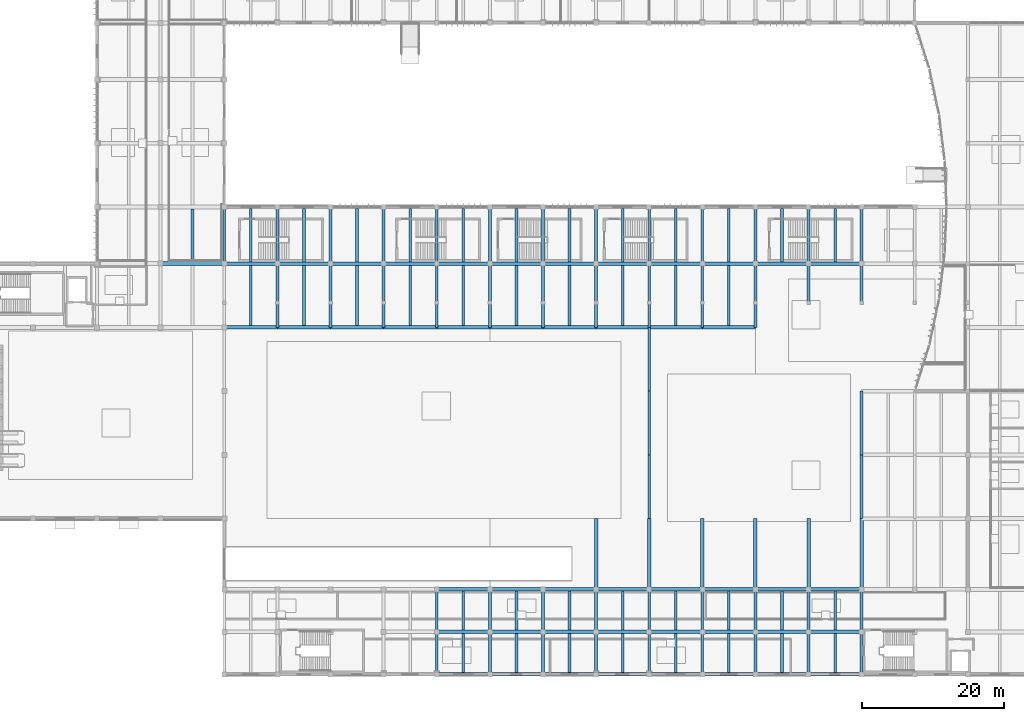
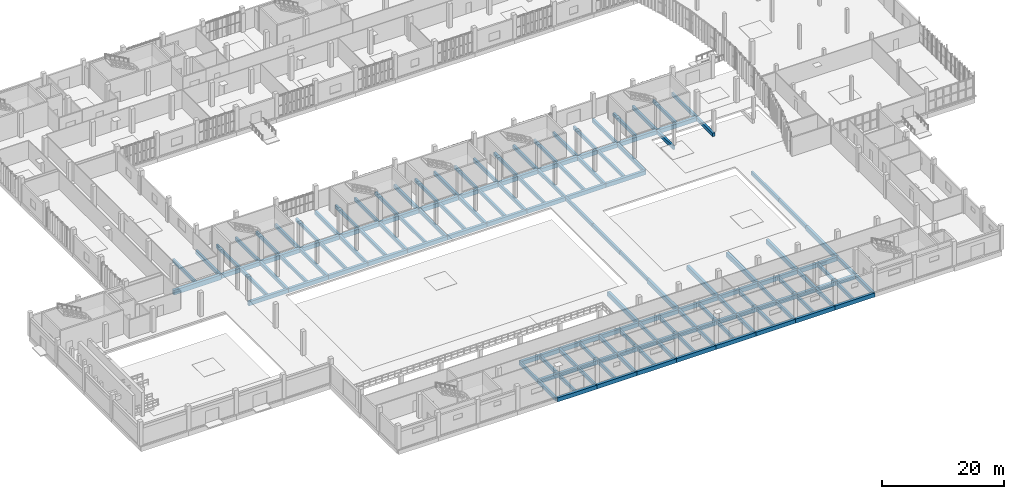
# One storey, part 8 of 72: 140 beams.
"""IFC4 building model written with IfcOpenShell, lengths in metres."""

from ifc_helpers import new_model, si_unit, direction, frame, origin, origin_2d, place, context, subcontext, project, spatial, rectangle, extrude, material, material_profile, profile_set, type_object, element, save


model = new_model("IFC4")

# Units and contexts
model_context = context("Model", 3, precision=1e-05, world=origin(), true_north=direction((0.0, 1.0)))
body_context = subcontext(model_context, "Body", "Model", "MODEL_VIEW")
ifc_project = project(units=[si_unit("LENGTHUNIT", "METRE"), si_unit("AREAUNIT", "SQUARE_METRE"), si_unit("VOLUMEUNIT", "CUBIC_METRE"), si_unit("PLANEANGLEUNIT", "RADIAN"), si_unit("MASSUNIT", "GRAM", prefix="KILO")], contexts=[model_context])

# Site, building, storey
site_placement = place(None, origin())
site = spatial("IfcSite", under=ifc_project, at=site_placement, CompositionType="ELEMENT")
building_placement = place(site_placement, origin())
building = spatial("IfcBuilding", under=site, at=building_placement, Name="Vourika Railside Aquatics Centre", CompositionType="ELEMENT")
storey_placement = place(building_placement, origin())
storey = spatial("IfcBuildingStorey", under=building, at=storey_placement, Name="L00", CompositionType="ELEMENT", Elevation=0.0)

# Beams
ifc_material_1 = material(Name="Concrete C35/45", Category="concrete")
ifc_material_profile_1 = material_profile(ifc_material_1, rectangle(XDim=0.39990234375, YDim=0.699951171875, at=origin_2d()), Name="RC 400x700")
ifc_profile_set_1 = profile_set([ifc_material_profile_1], Name="Concrete C35/45")
beam_type_1 = type_object("IfcBeamType", Name="BM-GIRD-400x700", PredefinedType="BEAM", material=ifc_profile_set_1)
beam_1_placement = place(storey_placement, frame((36.0, 58.0, -0.669921875), z_axis=(0.0, 1.0, 0.0), x_axis=(-1.0, 0.0, 0.0)))
element("IfcBeam", 1, at=beam_1_placement, inside=storey, type_object=beam_type_1, Name="Floor Girder GY-L00-214", PredefinedType="BEAM", context=body_context, shape_type="SweptSolid", body=[
    extrude(rectangle(XDim=0.39990234375, YDim=0.699951171875, at=origin_2d()), origin(), (0.0, 0.0, 1.0), 8.0),
])
beam_2_placement = place(storey_placement, frame((43.5, 49.0, -0.669921875), z_axis=(0.0, 1.0, 0.0), x_axis=(-1.0, 0.0, 0.0)))
element("IfcBeam", 2, at=beam_2_placement, inside=storey, type_object=beam_type_1, Name="Floor Girder GY-L00-223", PredefinedType="BEAM", context=body_context, shape_type="SweptSolid", body=[
    extrude(rectangle(XDim=0.39990234375, YDim=0.699951171875, at=origin_2d()), origin(), (0.0, 0.0, 1.0), 9.0),
])
beam_3_placement = place(storey_placement, frame((43.5, 58.0, -0.669921875), z_axis=(0.0, 1.0, 0.0), x_axis=(-1.0, 0.0, 0.0)))
element("IfcBeam", 3, at=beam_3_placement, inside=storey, type_object=beam_type_1, Name="Floor Girder GY-L00-224", PredefinedType="BEAM", context=body_context, shape_type="SweptSolid", body=[
    extrude(rectangle(XDim=0.39990234375, YDim=0.699951171875, at=origin_2d()), origin(), (0.0, 0.0, 1.0), 8.0),
])
beam_4_placement = place(storey_placement, frame((51.0, 49.0, -0.669921875), z_axis=(0.0, 1.0, 0.0), x_axis=(-1.0, 0.0, 0.0)))
element("IfcBeam", 4, at=beam_4_placement, inside=storey, type_object=beam_type_1, Name="Floor Girder GY-L00-228", PredefinedType="BEAM", context=body_context, shape_type="SweptSolid", body=[
    extrude(rectangle(XDim=0.39990234375, YDim=0.699951171875, at=origin_2d()), origin(), (0.0, 0.0, 1.0), 9.0),
])
beam_5_placement = place(storey_placement, frame((51.0, 58.0, -0.669921875), z_axis=(0.0, 1.0, 0.0), x_axis=(-1.0, 0.0, 0.0)))
element("IfcBeam", 5, at=beam_5_placement, inside=storey, type_object=beam_type_1, Name="Floor Girder GY-L00-229", PredefinedType="BEAM", context=body_context, shape_type="SweptSolid", body=[
    extrude(rectangle(XDim=0.39990234375, YDim=0.699951171875, at=origin_2d()), origin(), (0.0, 0.0, 1.0), 8.0),
])
beam_6_placement = place(storey_placement, frame((58.5, 49.0, -0.669921875), z_axis=(0.0, 1.0, 0.0), x_axis=(-1.0, 0.0, 0.0)))
element("IfcBeam", 6, at=beam_6_placement, inside=storey, type_object=beam_type_1, Name="Floor Girder GY-L00-234", PredefinedType="BEAM", context=body_context, shape_type="SweptSolid", body=[
    extrude(rectangle(XDim=0.39990234375, YDim=0.699951171875, at=origin_2d()), origin(), (0.0, 0.0, 1.0), 9.0),
])
beam_7_placement = place(storey_placement, frame((58.5, 58.0, -0.669921875), z_axis=(0.0, 1.0, 0.0), x_axis=(-1.0, 0.0, 0.0)))
element("IfcBeam", 7, at=beam_7_placement, inside=storey, type_object=beam_type_1, Name="Floor Girder GY-L00-235", PredefinedType="BEAM", context=body_context, shape_type="SweptSolid", body=[
    extrude(rectangle(XDim=0.39990234375, YDim=0.699951171875, at=origin_2d()), origin(), (0.0, 0.0, 1.0), 8.0),
])
for number, where, z_axis, x_axis, name in (
    (8, (66.0, 0.0, -0.669921875), (0.0, 1.0, 0.0), (-1.0, 0.0, 0.0), "Floor Girder GY-L00-238"),
    (9, (66.0, 6.0, -0.669921875), (0.0, 1.0, 0.0), (-1.0, 0.0, 0.0), "Floor Girder GY-L00-239"),
):
    element("IfcBeam", number, at=place(storey_placement, frame(where, z_axis=z_axis, x_axis=x_axis)), inside=storey, type_object=beam_type_1, Name=name, PredefinedType="BEAM", context=body_context, shape_type="SweptSolid", body=[
        extrude(rectangle(XDim=0.39990234375, YDim=0.699951171875, at=origin_2d()), origin(), (0.0, 0.0, 1.0), 6.0),
    ])
beam_8_placement = place(storey_placement, frame((66.0, 49.0, -0.669921875), z_axis=(0.0, 1.0, 0.0), x_axis=(-1.0, 0.0, 0.0)))
element("IfcBeam", 10, at=beam_8_placement, inside=storey, type_object=beam_type_1, Name="Floor Girder GY-L00-240", PredefinedType="BEAM", context=body_context, shape_type="SweptSolid", body=[
    extrude(rectangle(XDim=0.39990234375, YDim=0.699951171875, at=origin_2d()), origin(), (0.0, 0.0, 1.0), 9.0),
])
beam_9_placement = place(storey_placement, frame((66.0, 58.0, -0.669921875), z_axis=(0.0, 1.0, 0.0), x_axis=(-1.0, 0.0, 0.0)))
element("IfcBeam", 11, at=beam_9_placement, inside=storey, type_object=beam_type_1, Name="Floor Girder GY-L00-241", PredefinedType="BEAM", context=body_context, shape_type="SweptSolid", body=[
    extrude(rectangle(XDim=0.39990234375, YDim=0.699951171875, at=origin_2d()), origin(), (0.0, 0.0, 1.0), 8.0),
])
for number, where, z_axis, x_axis, name in (
    (12, (73.5, 0.0, -0.669921875), (0.0, 1.0, 0.0), (-1.0, 0.0, 0.0), "Floor Girder GY-L00-245"),
    (13, (73.5, 6.0, -0.669921875), (0.0, 1.0, 0.0), (-1.0, 0.0, 0.0), "Floor Girder GY-L00-246"),
):
    element("IfcBeam", number, at=place(storey_placement, frame(where, z_axis=z_axis, x_axis=x_axis)), inside=storey, type_object=beam_type_1, Name=name, PredefinedType="BEAM", context=body_context, shape_type="SweptSolid", body=[
        extrude(rectangle(XDim=0.39990234375, YDim=0.699951171875, at=origin_2d()), origin(), (0.0, 0.0, 1.0), 6.0),
    ])
beam_10_placement = place(storey_placement, frame((73.5, 49.0, -0.669921875), z_axis=(0.0, 1.0, 0.0), x_axis=(-1.0, 0.0, 0.0)))
element("IfcBeam", 14, at=beam_10_placement, inside=storey, type_object=beam_type_1, Name="Floor Girder GY-L00-247", PredefinedType="BEAM", context=body_context, shape_type="SweptSolid", body=[
    extrude(rectangle(XDim=0.39990234375, YDim=0.699951171875, at=origin_2d()), origin(), (0.0, 0.0, 1.0), 9.0),
])
beam_11_placement = place(storey_placement, frame((73.5, 58.0, -0.669921875), z_axis=(0.0, 1.0, 0.0), x_axis=(-1.0, 0.0, 0.0)))
element("IfcBeam", 15, at=beam_11_placement, inside=storey, type_object=beam_type_1, Name="Floor Girder GY-L00-248", PredefinedType="BEAM", context=body_context, shape_type="SweptSolid", body=[
    extrude(rectangle(XDim=0.39990234375, YDim=0.699951171875, at=origin_2d()), origin(), (0.0, 0.0, 1.0), 8.0),
])
for number, where, z_axis, x_axis, name in (
    (16, (81.0, 0.0, -0.669921875), (0.0, 1.0, 0.0), (-1.0, 0.0, 0.0), "Floor Girder GY-L00-252"),
    (17, (81.0, 6.0, -0.669921875), (0.0, 1.0, 0.0), (-1.0, 0.0, 0.0), "Floor Girder GY-L00-253"),
):
    element("IfcBeam", number, at=place(storey_placement, frame(where, z_axis=z_axis, x_axis=x_axis)), inside=storey, type_object=beam_type_1, Name=name, PredefinedType="BEAM", context=body_context, shape_type="SweptSolid", body=[
        extrude(rectangle(XDim=0.39990234375, YDim=0.699951171875, at=origin_2d()), origin(), (0.0, 0.0, 1.0), 6.0),
    ])
beam_12_placement = place(storey_placement, frame((81.0, 49.0, -0.669921875), z_axis=(0.0, 1.0, 0.0), x_axis=(-1.0, 0.0, 0.0)))
element("IfcBeam", 18, at=beam_12_placement, inside=storey, type_object=beam_type_1, Name="Floor Girder GY-L00-254", PredefinedType="BEAM", context=body_context, shape_type="SweptSolid", body=[
    extrude(rectangle(XDim=0.39990234375, YDim=0.699951171875, at=origin_2d()), origin(), (0.0, 0.0, 1.0), 9.0),
])
beam_13_placement = place(storey_placement, frame((81.0, 58.0, -0.669921875), z_axis=(0.0, 1.0, 0.0), x_axis=(-1.0, 0.0, 0.0)))
element("IfcBeam", 19, at=beam_13_placement, inside=storey, type_object=beam_type_1, Name="Floor Girder GY-L00-255", PredefinedType="BEAM", context=body_context, shape_type="SweptSolid", body=[
    extrude(rectangle(XDim=0.39990234375, YDim=0.699951171875, at=origin_2d()), origin(), (0.0, 0.0, 1.0), 8.0),
])
for number, where, z_axis, x_axis, name in (
    (20, (88.5, 0.0, -0.669921875), (0.0, 1.0, 0.0), (-1.0, 0.0, 0.0), "Floor Girder GY-L00-259"),
    (21, (88.5, 6.0, -0.669921875), (0.0, 1.0, 0.0), (-1.0, 0.0, 0.0), "Floor Girder GY-L00-260"),
):
    element("IfcBeam", number, at=place(storey_placement, frame(where, z_axis=z_axis, x_axis=x_axis)), inside=storey, type_object=beam_type_1, Name=name, PredefinedType="BEAM", context=body_context, shape_type="SweptSolid", body=[
        extrude(rectangle(XDim=0.39990234375, YDim=0.699951171875, at=origin_2d()), origin(), (0.0, 0.0, 1.0), 6.0),
    ])
beam_14_placement = place(storey_placement, frame((88.5, 49.0, -0.669921875), z_axis=(0.0, 1.0, 0.0), x_axis=(-1.0, 0.0, 0.0)))
element("IfcBeam", 22, at=beam_14_placement, inside=storey, type_object=beam_type_1, Name="Floor Girder GY-L00-262", PredefinedType="BEAM", context=body_context, shape_type="SweptSolid", body=[
    extrude(rectangle(XDim=0.39990234375, YDim=0.699951171875, at=origin_2d()), origin(), (0.0, 0.0, 1.0), 9.0),
])
beam_15_placement = place(storey_placement, frame((88.5, 58.0, -0.669921875), z_axis=(0.0, 1.0, 0.0), x_axis=(-1.0, 0.0, 0.0)))
element("IfcBeam", 23, at=beam_15_placement, inside=storey, type_object=beam_type_1, Name="Floor Girder GY-L00-263", PredefinedType="BEAM", context=body_context, shape_type="SweptSolid", body=[
    extrude(rectangle(XDim=0.39990234375, YDim=0.699951171875, at=origin_2d()), origin(), (0.0, 0.0, 1.0), 8.0),
])
for number, where, z_axis, x_axis, name in (
    (24, (96.0, 0.0, -0.669921875), (0.0, 1.0, 0.0), (-1.0, 0.0, 0.0), "Floor Girder GY-L00-267"),
    (25, (96.0, 6.0, -0.669921875), (0.0, 1.0, 0.0), (-1.0, 0.0, 0.0), "Floor Girder GY-L00-268"),
):
    element("IfcBeam", number, at=place(storey_placement, frame(where, z_axis=z_axis, x_axis=x_axis)), inside=storey, type_object=beam_type_1, Name=name, PredefinedType="BEAM", context=body_context, shape_type="SweptSolid", body=[
        extrude(rectangle(XDim=0.39990234375, YDim=0.699951171875, at=origin_2d()), origin(), (0.0, 0.0, 1.0), 6.0),
    ])
for number, where, z_axis, x_axis, name in (
    (26, (96.0, 22.0, -0.669921875), (0.0, 1.0, 0.0), (-1.0, 0.0, 0.0), "Floor Girder GY-L00-270"),
    (27, (96.0, 31.0, -0.669921875), (0.0, 1.0, 0.0), (-1.0, 0.0, 0.0), "Floor Girder GY-L00-271"),
    (28, (96.0, 40.0, -0.669921875), (0.0, 1.0, 0.0), (-1.0, 0.0, 0.0), "Floor Girder GY-L00-272"),
    (29, (96.0, 49.0, -0.669921875), (0.0, 1.0, 0.0), (-1.0, 0.0, 0.0), "Floor Girder GY-L00-273"),
):
    element("IfcBeam", number, at=place(storey_placement, frame(where, z_axis=z_axis, x_axis=x_axis)), inside=storey, type_object=beam_type_1, Name=name, PredefinedType="BEAM", context=body_context, shape_type="SweptSolid", body=[
        extrude(rectangle(XDim=0.39990234375, YDim=0.699951171875, at=origin_2d()), origin(), (0.0, 0.0, 1.0), 9.0),
    ])
beam_16_placement = place(storey_placement, frame((96.0, 58.0, -0.669921875), z_axis=(0.0, 1.0, 0.0), x_axis=(-1.0, 0.0, 0.0)))
element("IfcBeam", 30, at=beam_16_placement, inside=storey, type_object=beam_type_1, Name="Floor Girder GY-L00-274", PredefinedType="BEAM", context=body_context, shape_type="SweptSolid", body=[
    extrude(rectangle(XDim=0.39990234375, YDim=0.699951171875, at=origin_2d()), origin(), (0.0, 0.0, 1.0), 8.0),
])
for number, where, z_axis, x_axis, name in (
    (31, (103.5, 0.0, -0.669921875), (0.0, 1.0, 0.0), (-1.0, 0.0, 0.0), "Floor Girder GY-L00-278"),
    (32, (103.5, 6.0, -0.669921875), (0.0, 1.0, 0.0), (-1.0, 0.0, 0.0), "Floor Girder GY-L00-279"),
):
    element("IfcBeam", number, at=place(storey_placement, frame(where, z_axis=z_axis, x_axis=x_axis)), inside=storey, type_object=beam_type_1, Name=name, PredefinedType="BEAM", context=body_context, shape_type="SweptSolid", body=[
        extrude(rectangle(XDim=0.39990234375, YDim=0.699951171875, at=origin_2d()), origin(), (0.0, 0.0, 1.0), 6.0),
    ])
beam_17_placement = place(storey_placement, frame((103.5, 49.0, -0.669921875), z_axis=(0.0, 1.0, 0.0), x_axis=(-1.0, 0.0, 0.0)))
element("IfcBeam", 33, at=beam_17_placement, inside=storey, type_object=beam_type_1, Name="Floor Girder GY-L00-281", PredefinedType="BEAM", context=body_context, shape_type="SweptSolid", body=[
    extrude(rectangle(XDim=0.39990234375, YDim=0.699951171875, at=origin_2d()), origin(), (0.0, 0.0, 1.0), 9.0),
])
beam_18_placement = place(storey_placement, frame((103.5, 58.0, -0.669921875), z_axis=(0.0, 1.0, 0.0), x_axis=(-1.0, 0.0, 0.0)))
element("IfcBeam", 34, at=beam_18_placement, inside=storey, type_object=beam_type_1, Name="Floor Girder GY-L00-282", PredefinedType="BEAM", context=body_context, shape_type="SweptSolid", body=[
    extrude(rectangle(XDim=0.39990234375, YDim=0.699951171875, at=origin_2d()), origin(), (0.0, 0.0, 1.0), 8.0),
])
for number, where, z_axis, x_axis, name in (
    (35, (111.0, 0.0, -0.669921875), (0.0, 1.0, 0.0), (-1.0, 0.0, 0.0), "Floor Girder GY-L00-286"),
    (36, (111.0, 6.0, -0.669921875), (0.0, 1.0, 0.0), (-1.0, 0.0, 0.0), "Floor Girder GY-L00-287"),
):
    element("IfcBeam", number, at=place(storey_placement, frame(where, z_axis=z_axis, x_axis=x_axis)), inside=storey, type_object=beam_type_1, Name=name, PredefinedType="BEAM", context=body_context, shape_type="SweptSolid", body=[
        extrude(rectangle(XDim=0.39990234375, YDim=0.699951171875, at=origin_2d()), origin(), (0.0, 0.0, 1.0), 6.0),
    ])
beam_19_placement = place(storey_placement, frame((111.0, 49.0, -0.669921875), z_axis=(0.0, 1.0, 0.0), x_axis=(-1.0, 0.0, 0.0)))
element("IfcBeam", 37, at=beam_19_placement, inside=storey, type_object=beam_type_1, Name="Floor Girder GY-L00-289", PredefinedType="BEAM", context=body_context, shape_type="SweptSolid", body=[
    extrude(rectangle(XDim=0.39990234375, YDim=0.699951171875, at=origin_2d()), origin(), (0.0, 0.0, 1.0), 9.0),
])
beam_20_placement = place(storey_placement, frame((111.0, 58.0, -0.669921875), z_axis=(0.0, 1.0, 0.0), x_axis=(-1.0, 0.0, 0.0)))
element("IfcBeam", 38, at=beam_20_placement, inside=storey, type_object=beam_type_1, Name="Floor Girder GY-L00-290", PredefinedType="BEAM", context=body_context, shape_type="SweptSolid", body=[
    extrude(rectangle(XDim=0.39990234375, YDim=0.699951171875, at=origin_2d()), origin(), (0.0, 0.0, 1.0), 8.0),
])
for number, where, z_axis, x_axis, name in (
    (39, (118.5, 0.0, -0.669921875), (0.0, 1.0, 0.0), (-1.0, 0.0, 0.0), "Floor Girder GY-L00-294"),
    (40, (118.5, 6.0, -0.669921875), (0.0, 1.0, 0.0), (-1.0, 0.0, 0.0), "Floor Girder GY-L00-295"),
):
    element("IfcBeam", number, at=place(storey_placement, frame(where, z_axis=z_axis, x_axis=x_axis)), inside=storey, type_object=beam_type_1, Name=name, PredefinedType="BEAM", context=body_context, shape_type="SweptSolid", body=[
        extrude(rectangle(XDim=0.39990234375, YDim=0.699951171875, at=origin_2d()), origin(), (0.0, 0.0, 1.0), 6.0),
    ])
beam_21_placement = place(storey_placement, frame((118.5, 58.0, -0.669921875), z_axis=(0.0, 1.0, 0.0), x_axis=(-1.0, 0.0, 0.0)))
element("IfcBeam", 41, at=beam_21_placement, inside=storey, type_object=beam_type_1, Name="Floor Girder GY-L00-297", PredefinedType="BEAM", context=body_context, shape_type="SweptSolid", body=[
    extrude(rectangle(XDim=0.39990234375, YDim=0.699951171875, at=origin_2d()), origin(), (0.0, 0.0, 1.0), 8.0),
])
for number, where, z_axis, x_axis, name in (
    (42, (126.0, 0.0, -0.669921875), (0.0, 1.0, 0.0), (-1.0, 0.0, 0.0), "Floor Girder GY-L00-301"),
    (43, (126.0, 6.0, -0.669921875), (0.0, 1.0, 0.0), (-1.0, 0.0, 0.0), "Floor Girder GY-L00-302"),
):
    element("IfcBeam", number, at=place(storey_placement, frame(where, z_axis=z_axis, x_axis=x_axis)), inside=storey, type_object=beam_type_1, Name=name, PredefinedType="BEAM", context=body_context, shape_type="SweptSolid", body=[
        extrude(rectangle(XDim=0.39990234375, YDim=0.699951171875, at=origin_2d()), origin(), (0.0, 0.0, 1.0), 6.0),
    ])
for number, where, z_axis, x_axis, name in (
    (44, (126.0, 22.0, -0.669921875), (0.0, 1.0, 0.0), (-1.0, 0.0, 0.0), "Floor Girder GY-L00-304"),
    (45, (126.0, 31.0, -0.669921875), (0.0, 1.0, 0.0), (-1.0, 0.0, 0.0), "Floor Girder GY-L00-305"),
):
    element("IfcBeam", number, at=place(storey_placement, frame(where, z_axis=z_axis, x_axis=x_axis)), inside=storey, type_object=beam_type_1, Name=name, PredefinedType="BEAM", context=body_context, shape_type="SweptSolid", body=[
        extrude(rectangle(XDim=0.39990234375, YDim=0.699951171875, at=origin_2d()), origin(), (0.0, 0.0, 1.0), 9.0),
    ])
beam_22_placement = place(storey_placement, frame((126.0, 58.0, -0.669921875), z_axis=(0.0, 1.0, 0.0), x_axis=(-1.0, 0.0, 0.0)))
element("IfcBeam", 46, at=beam_22_placement, inside=storey, type_object=beam_type_1, Name="Floor Girder GY-L00-306", PredefinedType="BEAM", context=body_context, shape_type="SweptSolid", body=[
    extrude(rectangle(XDim=0.39990234375, YDim=0.699951171875, at=origin_2d()), origin(), (0.0, 0.0, 1.0), 8.0),
])
for number, where, z_axis, x_axis, name in (
    (47, (118.5, 52.5, -0.669921875), (0.0, 1.0, 0.0), (-1.0, 0.0, 0.0), "Grandstand Tie Beam 118.5"),
    (48, (126.0, 52.5, -0.669921875), (0.0, 1.0, 0.0), (-1.0, 0.0, 0.0), "Grandstand Tie Beam 126.0"),
):
    element("IfcBeam", number, at=place(storey_placement, frame(where, z_axis=z_axis, x_axis=x_axis)), inside=storey, type_object=beam_type_1, Name=name, PredefinedType="BEAM", context=body_context, shape_type="SweptSolid", body=[
        extrude(rectangle(XDim=0.39990234375, YDim=0.699951171875, at=origin_2d()), origin(), (0.0, 0.0, 1.0), 5.5),
    ])
ifc_material_2 = material(Name="Concrete C40/50", Category="concrete")
ifc_material_profile_2 = material_profile(ifc_material_2, rectangle(XDim=0.5, YDim=0.89990234375, at=origin_2d()), Name="RC 500x900")
ifc_profile_set_2 = profile_set([ifc_material_profile_2], Name="Concrete C40/50")
beam_type_2 = type_object("IfcBeamType", Name="BM-GIRD-500x900", PredefinedType="BEAM", material=ifc_profile_set_2)
for number, where, z_axis, x_axis, name in (
    (49, (88.5, 12.0, -0.77001953125), (0.0, 1.0, 0.0), (-1.0, 0.0, 0.0), "Floor Girder GY-L00-261"),
    (50, (96.0, 12.0, -0.77001953125), (0.0, 1.0, 0.0), (-1.0, 0.0, 0.0), "Floor Girder GY-L00-269"),
    (51, (103.5, 12.0, -0.77001953125), (0.0, 1.0, 0.0), (-1.0, 0.0, 0.0), "Floor Girder GY-L00-280"),
    (52, (111.0, 12.0, -0.77001953125), (0.0, 1.0, 0.0), (-1.0, 0.0, 0.0), "Floor Girder GY-L00-288"),
    (53, (118.5, 12.0, -0.77001953125), (0.0, 1.0, 0.0), (-1.0, 0.0, 0.0), "Floor Girder GY-L00-296"),
    (54, (126.0, 12.0, -0.77001953125), (0.0, 1.0, 0.0), (-1.0, 0.0, 0.0), "Floor Girder GY-L00-303"),
):
    element("IfcBeam", number, at=place(storey_placement, frame(where, z_axis=z_axis, x_axis=x_axis)), inside=storey, type_object=beam_type_2, Name=name, PredefinedType="BEAM", context=body_context, shape_type="SweptSolid", body=[
        extrude(rectangle(XDim=0.5, YDim=0.89990234375, at=origin_2d()), origin(), (0.0, 0.0, 1.0), 10.0),
    ])
ifc_material_profile_3 = material_profile(ifc_material_2, rectangle(XDim=0.550048828125, YDim=0.949951171875, at=origin_2d()), Name="RC 550x950")
ifc_profile_set_3 = profile_set([ifc_material_profile_3], Name="Concrete C40/50")
beam_type_3 = type_object("IfcBeamType", Name="BM-GIRD-550x950", PredefinedType="BEAM", material=ifc_profile_set_3)
beam_23_placement = place(storey_placement, frame((27.0, 58.0, -0.794921875), z_axis=(1.0, 0.0, 0.0), x_axis=(0.0, 1.0, 0.0)))
element("IfcBeam", 55, at=beam_23_placement, inside=storey, type_object=beam_type_3, Name="Floor Beam GX-L00-077", PredefinedType="BEAM", context=body_context, shape_type="SweptSolid", body=[
    extrude(rectangle(XDim=0.550048828125, YDim=0.949951171875, at=origin_2d()), origin(), (0.0, 0.0, 1.0), 9.0),
])
ifc_material_profile_4 = material_profile(ifc_material_1, rectangle(XDim=0.3798828125, YDim=0.64990234375, at=origin_2d()), Name="RC 380x650")
ifc_profile_set_4 = profile_set([ifc_material_profile_4], Name="Concrete C35/45")
beam_type_4 = type_object("IfcBeamType", Name="BM-SEC-380x650", PredefinedType="JOIST", material=ifc_profile_set_4)
for number, where, z_axis, x_axis, name in (
    (56, (69.75, 0.25, -0.64501953125), (0.0, 1.0, 0.0), (-1.0, 0.0, 0.0), "Secondary Joist JY-L00-352"),
    (57, (77.25, 0.25, -0.64501953125), (0.0, 1.0, 0.0), (-1.0, 0.0, 0.0), "Secondary Joist JY-L00-353"),
    (58, (84.75, 0.25, -0.64501953125), (0.0, 1.0, 0.0), (-1.0, 0.0, 0.0), "Secondary Joist JY-L00-354"),
    (59, (92.25, 0.25, -0.64501953125), (0.0, 1.0, 0.0), (-1.0, 0.0, 0.0), "Secondary Joist JY-L00-355"),
    (60, (99.75, 0.25, -0.64501953125), (0.0, 1.0, 0.0), (-1.0, 0.0, 0.0), "Secondary Joist JY-L00-356"),
    (61, (107.25, 0.25, -0.64501953125), (0.0, 1.0, 0.0), (-1.0, 0.0, 0.0), "Secondary Joist JY-L00-357"),
    (62, (114.75, 0.25, -0.64501953125), (0.0, 1.0, 0.0), (-1.0, 0.0, 0.0), "Secondary Joist JY-L00-358"),
    (63, (122.25, 0.25, -0.64501953125), (0.0, 1.0, 0.0), (-1.0, 0.0, 0.0), "Secondary Joist JY-L00-359"),
    (64, (69.75, 6.25, -0.64501953125), (0.0, 1.0, 0.0), (-1.0, 0.0, 0.0), "Secondary Joist JY-L00-363"),
    (65, (77.25, 6.25, -0.64501953125), (0.0, 1.0, 0.0), (-1.0, 0.0, 0.0), "Secondary Joist JY-L00-364"),
    (66, (84.75, 6.25, -0.64501953125), (0.0, 1.0, 0.0), (-1.0, 0.0, 0.0), "Secondary Joist JY-L00-365"),
    (67, (92.25, 6.25, -0.64501953125), (0.0, 1.0, 0.0), (-1.0, 0.0, 0.0), "Secondary Joist JY-L00-366"),
    (68, (99.75, 6.25, -0.64501953125), (0.0, 1.0, 0.0), (-1.0, 0.0, 0.0), "Secondary Joist JY-L00-367"),
    (69, (107.25, 6.25, -0.64501953125), (0.0, 1.0, 0.0), (-1.0, 0.0, 0.0), "Secondary Joist JY-L00-368"),
    (70, (114.75, 6.25, -0.64501953125), (0.0, 1.0, 0.0), (-1.0, 0.0, 0.0), "Secondary Joist JY-L00-369"),
    (71, (122.25, 6.25, -0.64501953125), (0.0, 1.0, 0.0), (-1.0, 0.0, 0.0), "Secondary Joist JY-L00-370"),
):
    element("IfcBeam", number, at=place(storey_placement, frame(where, z_axis=z_axis, x_axis=x_axis)), inside=storey, type_object=beam_type_4, Name=name, PredefinedType="JOIST", context=body_context, shape_type="SweptSolid", body=[
        extrude(rectangle(XDim=0.3798828125, YDim=0.64990234375, at=origin_2d()), origin(), (0.0, 0.0, 1.0), 5.5),
    ])
for number, where, z_axis, x_axis, name in (
    (72, (39.75, 49.25, -0.64501953125), (0.0, 1.0, 0.0), (-1.0, 0.0, 0.0), "Secondary Joist JY-L00-387"),
    (73, (47.25, 49.25, -0.64501953125), (0.0, 1.0, 0.0), (-1.0, 0.0, 0.0), "Secondary Joist JY-L00-388"),
    (74, (54.75, 49.25, -0.64501953125), (0.0, 1.0, 0.0), (-1.0, 0.0, 0.0), "Secondary Joist JY-L00-389"),
    (75, (62.25, 49.25, -0.64501953125), (0.0, 1.0, 0.0), (-1.0, 0.0, 0.0), "Secondary Joist JY-L00-390"),
    (76, (69.75, 49.25, -0.64501953125), (0.0, 1.0, 0.0), (-1.0, 0.0, 0.0), "Secondary Joist JY-L00-391"),
    (77, (77.25, 49.25, -0.64501953125), (0.0, 1.0, 0.0), (-1.0, 0.0, 0.0), "Secondary Joist JY-L00-392"),
    (78, (84.75, 49.25, -0.64501953125), (0.0, 1.0, 0.0), (-1.0, 0.0, 0.0), "Secondary Joist JY-L00-393"),
    (79, (92.25, 49.25, -0.64501953125), (0.0, 1.0, 0.0), (-1.0, 0.0, 0.0), "Secondary Joist JY-L00-394"),
    (80, (99.75, 49.25, -0.64501953125), (0.0, 1.0, 0.0), (-1.0, 0.0, 0.0), "Secondary Joist JY-L00-395"),
    (81, (107.25, 49.25, -0.64501953125), (0.0, 1.0, 0.0), (-1.0, 0.0, 0.0), "Secondary Joist JY-L00-396"),
):
    element("IfcBeam", number, at=place(storey_placement, frame(where, z_axis=z_axis, x_axis=x_axis)), inside=storey, type_object=beam_type_4, Name=name, PredefinedType="JOIST", context=body_context, shape_type="SweptSolid", body=[
        extrude(rectangle(XDim=0.3798828125, YDim=0.64990234375, at=origin_2d()), origin(), (0.0, 0.0, 1.0), 8.5),
    ])
beam_24_placement = place(storey_placement, frame((31.5, 58.27490234375, -0.64501953125), z_axis=(0.0, 1.0, 0.0), x_axis=(-1.0, 0.0, 0.0)))
element("IfcBeam", 82, at=beam_24_placement, inside=storey, type_object=beam_type_4, Name="Secondary Joist JY-L00-401", PredefinedType="JOIST", context=body_context, shape_type="SweptSolid", body=[
    extrude(rectangle(XDim=0.3798828125, YDim=0.64990234375, at=origin_2d()), origin(), (0.0, 0.0, 1.0), 7.4501953125),
])
for number, where, z_axis, x_axis, name in (
    (83, (39.75, 58.25, -0.64501953125), (0.0, 1.0, 0.0), (-1.0, 0.0, 0.0), "Secondary Joist JY-L00-402"),
    (84, (47.25, 58.25, -0.64501953125), (0.0, 1.0, 0.0), (-1.0, 0.0, 0.0), "Secondary Joist JY-L00-403"),
    (85, (54.75, 58.25, -0.64501953125), (0.0, 1.0, 0.0), (-1.0, 0.0, 0.0), "Secondary Joist JY-L00-404"),
    (86, (62.25, 58.25, -0.64501953125), (0.0, 1.0, 0.0), (-1.0, 0.0, 0.0), "Secondary Joist JY-L00-405"),
    (87, (69.75, 58.25, -0.64501953125), (0.0, 1.0, 0.0), (-1.0, 0.0, 0.0), "Secondary Joist JY-L00-406"),
    (88, (77.25, 58.25, -0.64501953125), (0.0, 1.0, 0.0), (-1.0, 0.0, 0.0), "Secondary Joist JY-L00-407"),
    (89, (84.75, 58.25, -0.64501953125), (0.0, 1.0, 0.0), (-1.0, 0.0, 0.0), "Secondary Joist JY-L00-408"),
    (90, (92.25, 58.25, -0.64501953125), (0.0, 1.0, 0.0), (-1.0, 0.0, 0.0), "Secondary Joist JY-L00-409"),
    (91, (99.75, 58.25, -0.64501953125), (0.0, 1.0, 0.0), (-1.0, 0.0, 0.0), "Secondary Joist JY-L00-410"),
    (92, (107.25, 58.25, -0.64501953125), (0.0, 1.0, 0.0), (-1.0, 0.0, 0.0), "Secondary Joist JY-L00-411"),
    (93, (114.75, 58.25, -0.64501953125), (0.0, 1.0, 0.0), (-1.0, 0.0, 0.0), "Secondary Joist JY-L00-412"),
    (94, (122.25, 58.25, -0.64501953125), (0.0, 1.0, 0.0), (-1.0, 0.0, 0.0), "Secondary Joist JY-L00-413"),
):
    element("IfcBeam", number, at=place(storey_placement, frame(where, z_axis=z_axis, x_axis=x_axis)), inside=storey, type_object=beam_type_4, Name=name, PredefinedType="JOIST", context=body_context, shape_type="SweptSolid", body=[
        extrude(rectangle(XDim=0.3798828125, YDim=0.64990234375, at=origin_2d()), origin(), (0.0, 0.0, 1.0), 7.5),
    ])
ifc_material_profile_5 = material_profile(ifc_material_2, rectangle(XDim=0.5, YDim=0.800048828125, at=origin_2d()), Name="RC 500x800")
ifc_profile_set_5 = profile_set([ifc_material_profile_5], Name="Concrete C40/50")
beam_type_5 = type_object("IfcBeamType", Name="BM-TIE-500x800", PredefinedType="BEAM", material=ifc_profile_set_5)
for number, where, z_axis, x_axis, name in (
    (95, (66.0, 0.0, -0.719970703125), (1.0, 0.0, 0.0), (0.0, 1.0, 0.0), "Floor Beam GX-L00-005"),
    (96, (73.5, 0.0, -0.719970703125), (1.0, 0.0, 0.0), (0.0, 1.0, 0.0), "Floor Beam GX-L00-006"),
    (97, (81.0, 0.0, -0.719970703125), (1.0, 0.0, 0.0), (0.0, 1.0, 0.0), "Floor Beam GX-L00-007"),
    (98, (88.5, 0.0, -0.719970703125), (1.0, 0.0, 0.0), (0.0, 1.0, 0.0), "Floor Beam GX-L00-008"),
    (99, (96.0, 0.0, -0.719970703125), (1.0, 0.0, 0.0), (0.0, 1.0, 0.0), "Floor Beam GX-L00-009"),
    (100, (103.5, 0.0, -0.719970703125), (1.0, 0.0, 0.0), (0.0, 1.0, 0.0), "Floor Beam GX-L00-010"),
    (101, (111.0, 0.0, -0.719970703125), (1.0, 0.0, 0.0), (0.0, 1.0, 0.0), "Floor Beam GX-L00-011"),
    (102, (118.5, 0.0, -0.719970703125), (1.0, 0.0, 0.0), (0.0, 1.0, 0.0), "Floor Beam GX-L00-012"),
    (103, (66.0, 6.0, -0.719970703125), (1.0, 0.0, 0.0), (0.0, 1.0, 0.0), "Floor Beam GX-L00-018"),
    (104, (73.5, 6.0, -0.719970703125), (1.0, 0.0, 0.0), (0.0, 1.0, 0.0), "Floor Beam GX-L00-019"),
    (105, (81.0, 6.0, -0.719970703125), (1.0, 0.0, 0.0), (0.0, 1.0, 0.0), "Floor Beam GX-L00-020"),
    (106, (88.5, 6.0, -0.719970703125), (1.0, 0.0, 0.0), (0.0, 1.0, 0.0), "Floor Beam GX-L00-021"),
    (107, (96.0, 6.0, -0.719970703125), (1.0, 0.0, 0.0), (0.0, 1.0, 0.0), "Floor Beam GX-L00-022"),
    (108, (103.5, 6.0, -0.719970703125), (1.0, 0.0, 0.0), (0.0, 1.0, 0.0), "Floor Beam GX-L00-023"),
    (109, (111.0, 6.0, -0.719970703125), (1.0, 0.0, 0.0), (0.0, 1.0, 0.0), "Floor Beam GX-L00-024"),
    (110, (118.5, 6.0, -0.719970703125), (1.0, 0.0, 0.0), (0.0, 1.0, 0.0), "Floor Beam GX-L00-025"),
    (111, (66.0, 12.0, -0.719970703125), (1.0, 0.0, 0.0), (0.0, 1.0, 0.0), "Floor Beam GX-L00-031"),
    (112, (73.5, 12.0, -0.719970703125), (1.0, 0.0, 0.0), (0.0, 1.0, 0.0), "Floor Beam GX-L00-032"),
    (113, (81.0, 12.0, -0.719970703125), (1.0, 0.0, 0.0), (0.0, 1.0, 0.0), "Floor Beam GX-L00-033"),
    (114, (88.5, 12.0, -0.719970703125), (1.0, 0.0, 0.0), (0.0, 1.0, 0.0), "Floor Beam GX-L00-034"),
    (115, (96.0, 12.0, -0.719970703125), (1.0, 0.0, 0.0), (0.0, 1.0, 0.0), "Floor Beam GX-L00-035"),
    (116, (103.5, 12.0, -0.719970703125), (1.0, 0.0, 0.0), (0.0, 1.0, 0.0), "Floor Beam GX-L00-036"),
    (117, (111.0, 12.0, -0.719970703125), (1.0, 0.0, 0.0), (0.0, 1.0, 0.0), "Floor Beam GX-L00-037"),
    (118, (118.5, 12.0, -0.719970703125), (1.0, 0.0, 0.0), (0.0, 1.0, 0.0), "Floor Beam GX-L00-038"),
    (119, (36.0, 49.0, -0.719970703125), (1.0, 0.0, 0.0), (0.0, 1.0, 0.0), "Floor Beam GX-L00-061"),
    (120, (43.5, 49.0, -0.719970703125), (1.0, 0.0, 0.0), (0.0, 1.0, 0.0), "Floor Beam GX-L00-062"),
    (121, (51.0, 49.0, -0.719970703125), (1.0, 0.0, 0.0), (0.0, 1.0, 0.0), "Floor Beam GX-L00-063"),
    (122, (58.5, 49.0, -0.719970703125), (1.0, 0.0, 0.0), (0.0, 1.0, 0.0), "Floor Beam GX-L00-064"),
    (123, (66.0, 49.0, -0.719970703125), (1.0, 0.0, 0.0), (0.0, 1.0, 0.0), "Floor Beam GX-L00-065"),
    (124, (73.5, 49.0, -0.719970703125), (1.0, 0.0, 0.0), (0.0, 1.0, 0.0), "Floor Beam GX-L00-066"),
    (125, (81.0, 49.0, -0.719970703125), (1.0, 0.0, 0.0), (0.0, 1.0, 0.0), "Floor Beam GX-L00-067"),
    (126, (88.5, 49.0, -0.719970703125), (1.0, 0.0, 0.0), (0.0, 1.0, 0.0), "Floor Beam GX-L00-068"),
    (127, (96.0, 49.0, -0.719970703125), (1.0, 0.0, 0.0), (0.0, 1.0, 0.0), "Floor Beam GX-L00-069"),
    (128, (103.5, 49.0, -0.719970703125), (1.0, 0.0, 0.0), (0.0, 1.0, 0.0), "Floor Beam GX-L00-070"),
    (129, (36.0, 58.0, -0.719970703125), (1.0, 0.0, 0.0), (0.0, 1.0, 0.0), "Floor Beam GX-L00-078"),
    (130, (43.5, 58.0, -0.719970703125), (1.0, 0.0, 0.0), (0.0, 1.0, 0.0), "Floor Beam GX-L00-079"),
    (131, (51.0, 58.0, -0.719970703125), (1.0, 0.0, 0.0), (0.0, 1.0, 0.0), "Floor Beam GX-L00-080"),
    (132, (58.5, 58.0, -0.719970703125), (1.0, 0.0, 0.0), (0.0, 1.0, 0.0), "Floor Beam GX-L00-081"),
    (133, (66.0, 58.0, -0.719970703125), (1.0, 0.0, 0.0), (0.0, 1.0, 0.0), "Floor Beam GX-L00-082"),
    (134, (73.5, 58.0, -0.719970703125), (1.0, 0.0, 0.0), (0.0, 1.0, 0.0), "Floor Beam GX-L00-083"),
    (135, (81.0, 58.0, -0.719970703125), (1.0, 0.0, 0.0), (0.0, 1.0, 0.0), "Floor Beam GX-L00-084"),
    (136, (88.5, 58.0, -0.719970703125), (1.0, 0.0, 0.0), (0.0, 1.0, 0.0), "Floor Beam GX-L00-085"),
    (137, (96.0, 58.0, -0.719970703125), (1.0, 0.0, 0.0), (0.0, 1.0, 0.0), "Floor Beam GX-L00-086"),
    (138, (103.5, 58.0, -0.719970703125), (1.0, 0.0, 0.0), (0.0, 1.0, 0.0), "Floor Beam GX-L00-087"),
    (139, (111.0, 58.0, -0.719970703125), (1.0, 0.0, 0.0), (0.0, 1.0, 0.0), "Floor Beam GX-L00-088"),
    (140, (118.5, 58.0, -0.719970703125), (1.0, 0.0, 0.0), (0.0, 1.0, 0.0), "Floor Beam GX-L00-089"),
):
    element("IfcBeam", number, at=place(storey_placement, frame(where, z_axis=z_axis, x_axis=x_axis)), inside=storey, type_object=beam_type_5, Name=name, PredefinedType="BEAM", context=body_context, shape_type="SweptSolid", body=[
        extrude(rectangle(XDim=0.5, YDim=0.800048828125, at=origin_2d()), origin(), (0.0, 0.0, 1.0), 7.5),
    ])

save(model, "model.ifc")
